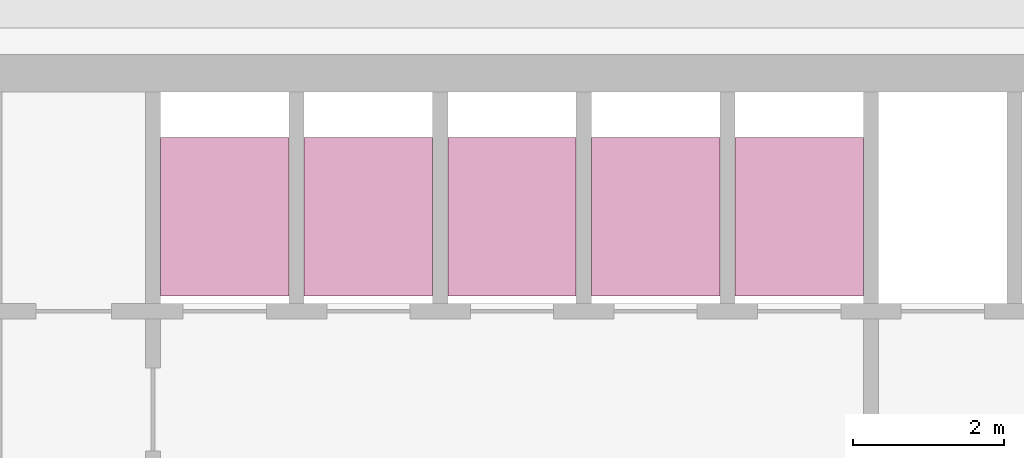
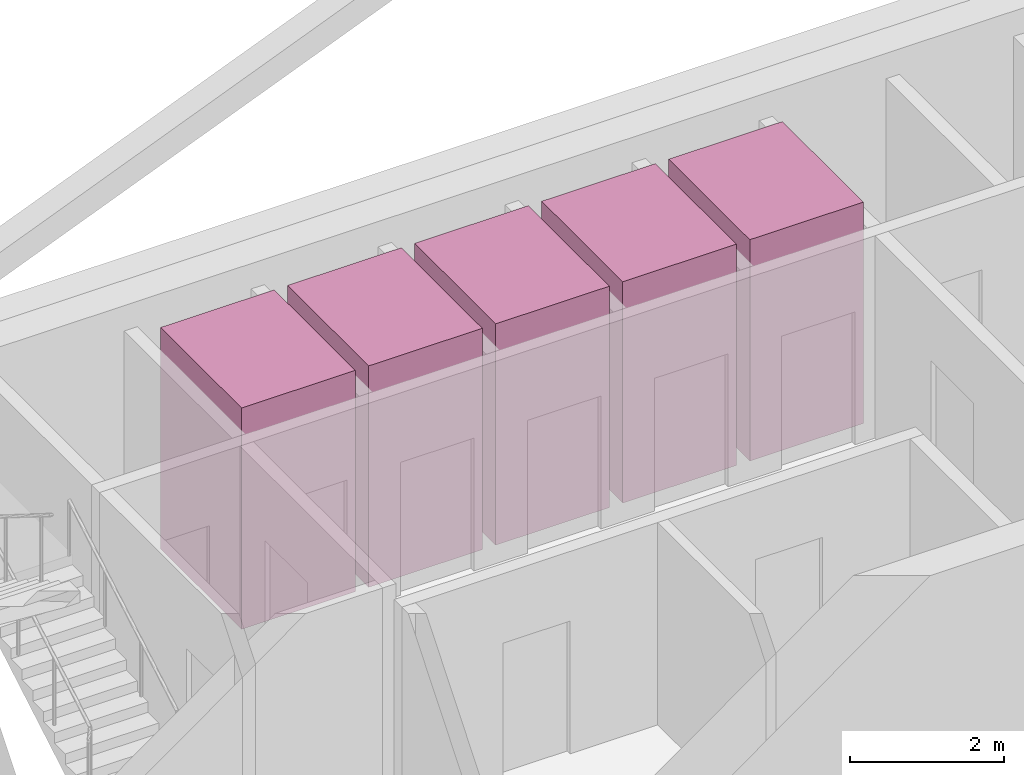
# One storey, part 10 of 10: 5 transport elements.
"""IFC4 building model written with IfcOpenShell, lengths in metres."""

from ifc_helpers import new_model, si_unit, direction, frame, origin, origin_2d, place, context, subcontext, project, spatial, rectangle, extrude, material, type_object, element, save


model = new_model("IFC4")

# Units and contexts
model_context = context("Model", 3, precision=1e-05, world=origin(), true_north=direction((0.0, 1.0)))
body_context = subcontext(model_context, "Body", "Model", "MODEL_VIEW")
ifc_project = project(units=[si_unit("LENGTHUNIT", "METRE"), si_unit("AREAUNIT", "SQUARE_METRE"), si_unit("VOLUMEUNIT", "CUBIC_METRE"), si_unit("PLANEANGLEUNIT", "RADIAN"), si_unit("MASSUNIT", "GRAM", prefix="KILO")], contexts=[model_context])

# Site, building, storey
site_placement = place(None, origin())
site = spatial("IfcSite", under=ifc_project, at=site_placement, CompositionType="ELEMENT")
building_placement = place(site_placement, origin())
building = spatial("IfcBuilding", under=site, at=building_placement, Name="Altiplano Prism Tower", CompositionType="ELEMENT")
storey_placement = place(building_placement, frame((0.0, 0.0, 347.199951171875)))
storey = spatial("IfcBuildingStorey", under=building, at=storey_placement, Name="L90", CompositionType="ELEMENT", Elevation=347.199951171875)

# Transport elements
ifc_material = material(Name="Stainless steel lift car", Category="steel")
transport_element_type = type_object("IfcTransportElementType", Name="Passenger lift car 1600 x 2100", PredefinedType="ELEVATOR", material=ifc_material)
for number, where, z_axis, x_axis, name in (
    (1, (79.050048828125, 101.75, 0.050048828125), (0.0, 0.0, 1.0), (1.0, 0.0, 0.0), "High Zone Passenger Lift 1"),
    (2, (80.949951171875, 101.75, 0.050048828125), (0.0, 0.0, 1.0), (1.0, 0.0, 0.0), "High Zone Passenger Lift 2"),
    (3, (82.85009765625, 101.75, 0.050048828125), (0.0, 0.0, 1.0), (1.0, 0.0, 0.0), "High Zone Passenger Lift 3"),
    (4, (84.75, 101.75, 0.050048828125), (0.0, 0.0, 1.0), (1.0, 0.0, 0.0), "High Zone Passenger Lift 4"),
    (5, (86.64990234375, 101.75, 0.050048828125), (0.0, 0.0, 1.0), (1.0, 0.0, 0.0), "High Zone Passenger Lift 5"),
):
    element("IfcTransportElement", number, at=place(storey_placement, frame(where, z_axis=z_axis, x_axis=x_axis)), inside=storey, type_object=transport_element_type, Name=name, PredefinedType="ELEVATOR", context=body_context, shape_type="SweptSolid", body=[
        extrude(rectangle(XDim=1.699951171875, YDim=2.10009765625, at=origin_2d()), origin(), (0.0, 0.0, 1.0), 3.5),
    ])

save(model, "model.ifc")
